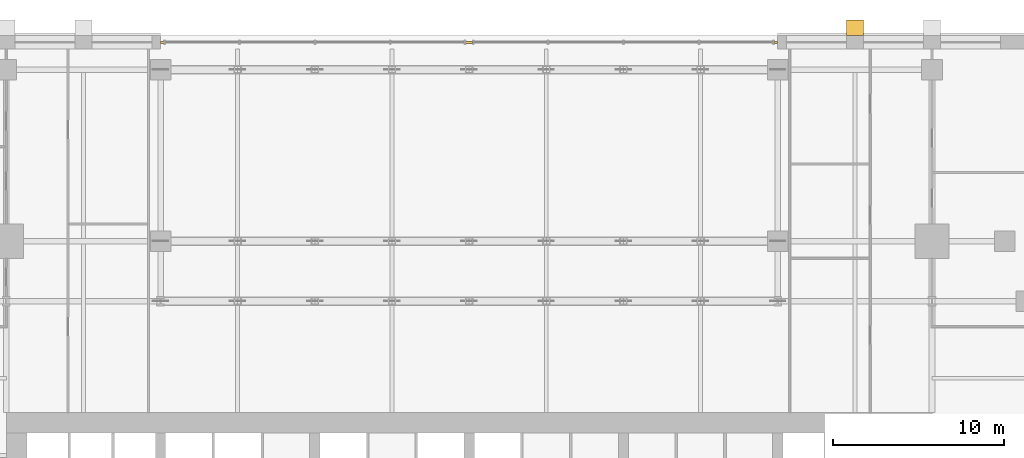
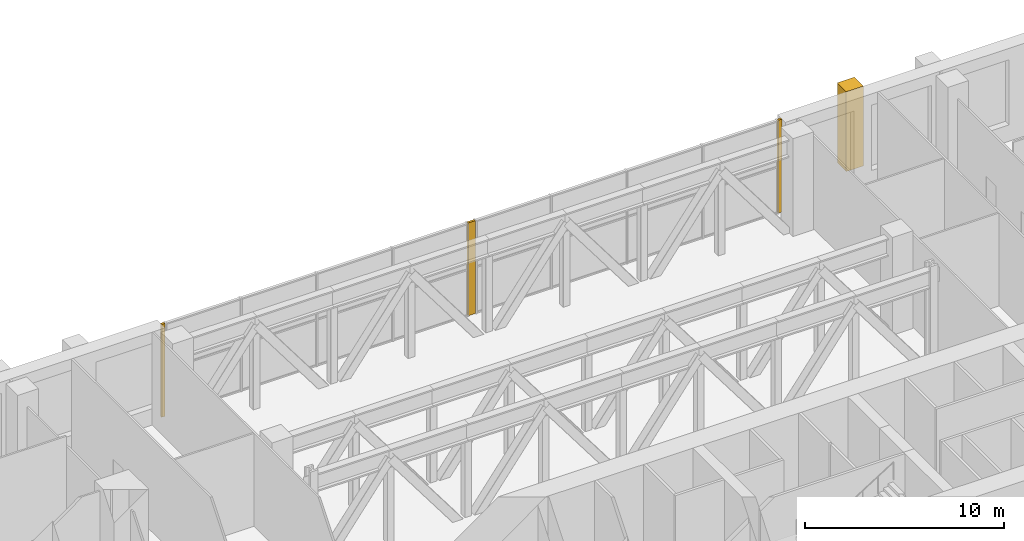
# One storey, part 12 of 13: 4 coverings.
"""IFC4 building model written with IfcOpenShell, lengths in metres."""

from ifc_helpers import new_model, si_unit, direction, frame, origin, origin_2d, place, context, subcontext, project, spatial, polyline, rectangle, outline, extrude, material, layer, layer_set, type_object, element, save


model = new_model("IFC4")

# Units and contexts
model_context = context("Model", 3, precision=1e-05, world=origin(), true_north=direction((0.0, 1.0)))
body_context = subcontext(model_context, "Body", "Model", "MODEL_VIEW")
ifc_project = project(units=[si_unit("LENGTHUNIT", "METRE"), si_unit("AREAUNIT", "SQUARE_METRE"), si_unit("VOLUMEUNIT", "CUBIC_METRE"), si_unit("PLANEANGLEUNIT", "RADIAN"), si_unit("MASSUNIT", "GRAM", prefix="KILO")], contexts=[model_context])

# Site, building, storey
site_placement = place(None, origin())
site = spatial("IfcSite", under=ifc_project, at=site_placement, CompositionType="ELEMENT")
building_placement = place(site_placement, origin())
building = spatial("IfcBuilding", under=site, at=building_placement, Name="Zellij Exchange Tower", CompositionType="ELEMENT")
storey_placement = place(building_placement, frame((0.0, 0.0, 27.0)))
storey = spatial("IfcBuildingStorey", under=building, at=storey_placement, Name="L04", CompositionType="ELEMENT", Elevation=27.0)

# Coverings
ifc_material = material(Name="Limestone cladding", Category="masonry")
ifc_layer = layer(ifc_material, 0.1201171875)
ifc_layer_set = layer_set([ifc_layer], Name="Limestone cladding")
covering_type_1 = type_object("IfcCoveringType", Name="ENV-CV18 Glazing closer 120", PredefinedType="CLADDING", material=ifc_layer_set)
covering_1_placement = place(storey_placement, frame((0.0, 19.60009765625, 0.0), z_axis=(0.0, 0.0, 1.0), x_axis=(-1.0, 0.0, 0.0)))
element("IfcCovering", 1, at=covering_1_placement, inside=storey, type_object=covering_type_1, Name="Glazing closer", PredefinedType="CLADDING", context=body_context, shape_type="SweptSolid", body=[
    extrude(rectangle(XDim=0.39990234375, YDim=0.1201171875, at=origin_2d()), origin(), (0.0, 0.0, 1.0), 5.699951171875),
])
for number, where, z_axis, x_axis, name in (
    (2, (-17.89990234375, 19.60009765625, 0.0), (0.0, 0.0, 1.0), (-1.0, 0.0, 0.0), "Glazing closer"),
    (3, (17.89990234375, 19.60009765625, 0.0), (0.0, 0.0, 1.0), (1.0, 0.0, 0.0), "Glazing closer"),
):
    element("IfcCovering", number, at=place(storey_placement, frame(where, z_axis=z_axis, x_axis=x_axis)), inside=storey, type_object=covering_type_1, Name=name, PredefinedType="CLADDING", context=body_context, shape_type="SweptSolid", body=[
        extrude(rectangle(XDim=0.199951171875, YDim=0.1201171875, at=origin_2d()), origin(), (0.0, 0.0, 1.0), 5.699951171875),
    ])
covering_type_2 = type_object("IfcCoveringType", Name="ENV-CV2 Stone pier 1000x900", PredefinedType="CLADDING", material=ifc_material)
covering_2_placement = place(storey_placement, frame((0.0, 0.0, 0.800048828125)))
element("IfcCovering", 4, at=covering_2_placement, inside=storey, type_object=covering_type_2, Name="Stone pier", PredefinedType="CLADDING", context=body_context, shape_type="SweptSolid", body=[
    extrude(outline(polyline([(23.0, 20.0), (22.0, 20.0), (22.0, 20.89990234375), (23.0, 20.89990234375), (23.0, 20.0)])), origin(), (0.0, 0.0, 1.0), 4.89990234375),
])

save(model, "model.ifc")
